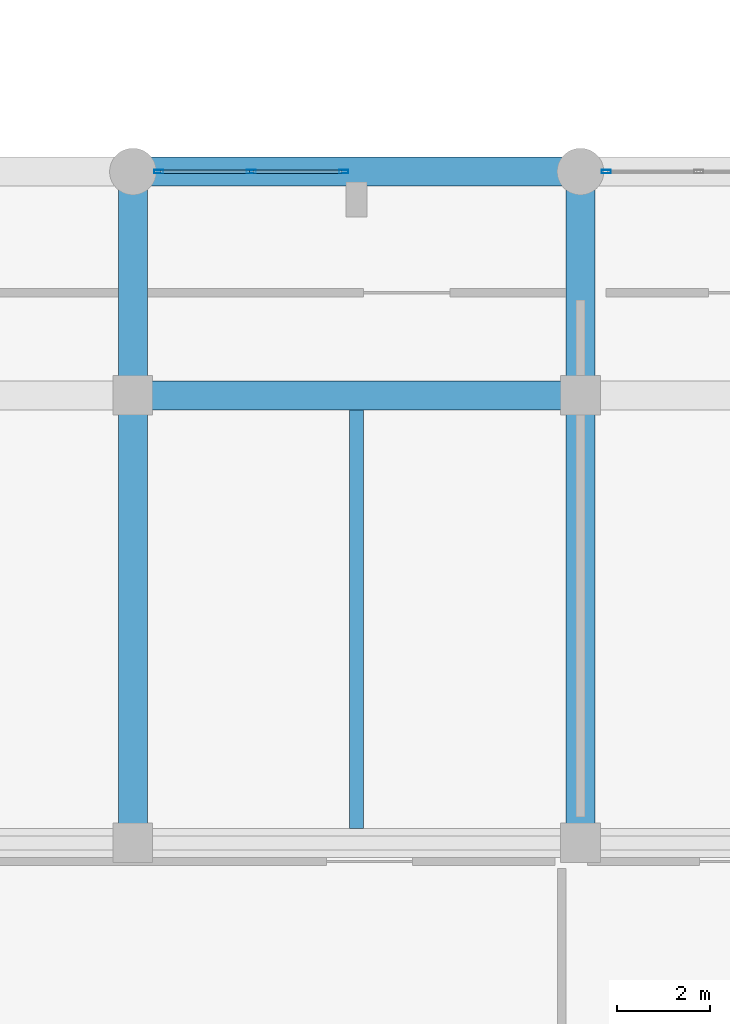
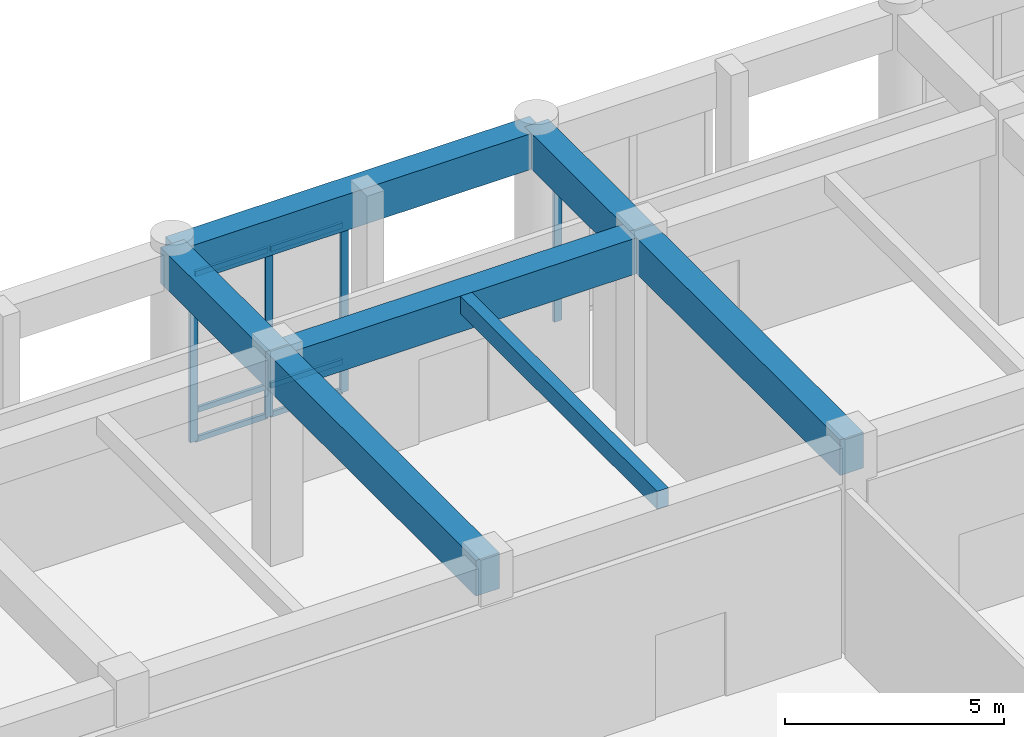
# One storey, part 21 of 87: 10 members, 7 beams, 2 elements without a shape of their own.
"""IFC4 building model written with IfcOpenShell, lengths in metres."""

from ifc_helpers import new_model, si_unit, direction, frame, origin, origin_2d, place, context, subcontext, project, spatial, rectangle, hollow_rectangle, extrude, material, layer, layer_set, material_profile, profile_set, type_object, element, aggregate, save


model = new_model("IFC4")

# Units and contexts
model_context = context("Model", 3, precision=1e-05, world=origin(), true_north=direction((0.0, 1.0)))
body_context = subcontext(model_context, "Body", "Model", "MODEL_VIEW")
ifc_project = project(units=[si_unit("LENGTHUNIT", "METRE"), si_unit("AREAUNIT", "SQUARE_METRE"), si_unit("VOLUMEUNIT", "CUBIC_METRE"), si_unit("PLANEANGLEUNIT", "RADIAN"), si_unit("MASSUNIT", "GRAM", prefix="KILO")], contexts=[model_context])

# Site, building, storey
site_placement = place(None, origin())
site = spatial("IfcSite", under=ifc_project, at=site_placement, CompositionType="ELEMENT")
building_placement = place(site_placement, origin())
building = spatial("IfcBuilding", under=site, at=building_placement, Name="Nakhvara Creek Congress Hotel", CompositionType="ELEMENT")
storey_placement = place(building_placement, origin())
storey = spatial("IfcBuildingStorey", under=building, at=storey_placement, Name="L00", CompositionType="ELEMENT", Elevation=0.0)

# Beams
ifc_material_1 = material(Name="Concrete C40/50", Category="concrete")
ifc_material_profile_1 = material_profile(ifc_material_1, rectangle(XDim=0.300048828125, YDim=0.5, at=origin_2d()), Name="RC-BM 300x500", Category="LoadBearing")
ifc_profile_set_1 = profile_set([ifc_material_profile_1], Name="Concrete C40/50")
beam_type_1 = type_object("IfcBeamType", Name="BM-JST-300X500", PredefinedType="JOIST", material=ifc_profile_set_1)
beam_1_placement = place(storey_placement, frame((100.800048828125, 29.110107421875, 5.449951171875), z_axis=(0.0, 1.0, 0.0), x_axis=(-1.0, 0.0, 0.0)))
element("IfcBeam", 1, at=beam_1_placement, inside=storey, type_object=beam_type_1, Name="Secondary Joist BJ1-L00-1042", PredefinedType="JOIST", context=body_context, shape_type="SweptSolid", body=[
    extrude(rectangle(XDim=0.300048828125, YDim=0.5, at=origin_2d()), origin(), (0.0, 0.0, 1.0), 8.97998046875),
])
ifc_material_2 = material(Name="Concrete C50/60", Category="concrete")
ifc_material_profile_2 = material_profile(ifc_material_2, rectangle(XDim=0.6201171875, YDim=1.0, at=origin_2d()), Name="RC-BM 620x1000", Category="LoadBearing")
ifc_profile_set_2 = profile_set([ifc_material_profile_2], Name="Concrete C50/60")
beam_type_2 = type_object("IfcBeamType", Name="BM-RC-620X1000", PredefinedType="BEAM", material=ifc_profile_set_2)
beam_2_placement = place(storey_placement, frame((96.0, 28.800048828125, 5.199951171875), z_axis=(0.0, 1.0, 0.0), x_axis=(-1.0, 0.0, 0.0)))
element("IfcBeam", 2, at=beam_2_placement, inside=storey, type_object=beam_type_2, Name="Beam B16-L00-0845", PredefinedType="BEAM", context=body_context, shape_type="SweptSolid", body=[
    extrude(rectangle(XDim=0.6201171875, YDim=1.0, at=origin_2d()), origin(), (0.0, 0.0, 1.0), 9.599853515625),
])
beam_3_placement = place(storey_placement, frame((96.0, 38.39990234375, 5.199951171875), z_axis=(0.0, 1.0, 0.0), x_axis=(-1.0, 0.0, 0.0)))
element("IfcBeam", 3, at=beam_3_placement, inside=storey, type_object=beam_type_2, Name="Beam B16-L00-0847", PredefinedType="BEAM", context=body_context, shape_type="SweptSolid", body=[
    extrude(rectangle(XDim=0.6201171875, YDim=1.0, at=origin_2d()), origin(), (0.0, 0.0, 1.0), 4.800048828125),
])
for number, where, z_axis, x_axis, name in (
    (4, (96.0, 38.39990234375, 5.199951171875), (1.0, 0.0, 0.0), (0.0, 1.0, 0.0), "Beam B16-L00-0848"),
    (5, (96.0, 43.199951171875, 5.199951171875), (1.0, 0.0, 0.0), (0.0, 1.0, 0.0), "Beam B16-L00-0849"),
):
    element("IfcBeam", number, at=place(storey_placement, frame(where, z_axis=z_axis, x_axis=x_axis)), inside=storey, type_object=beam_type_2, Name=name, PredefinedType="BEAM", context=body_context, shape_type="SweptSolid", body=[
        extrude(rectangle(XDim=0.6201171875, YDim=1.0, at=origin_2d()), origin(), (0.0, 0.0, 1.0), 9.60009765625),
    ])
beam_4_placement = place(storey_placement, frame((105.60009765625, 28.800048828125, 5.199951171875), z_axis=(0.0, 1.0, 0.0), x_axis=(-1.0, 0.0, 0.0)))
element("IfcBeam", 6, at=beam_4_placement, inside=storey, type_object=beam_type_2, Name="Beam B16-L00-0858", PredefinedType="BEAM", context=body_context, shape_type="SweptSolid", body=[
    extrude(rectangle(XDim=0.6201171875, YDim=1.0, at=origin_2d()), origin(), (0.0, 0.0, 1.0), 9.599853515625),
])
beam_5_placement = place(storey_placement, frame((105.60009765625, 38.39990234375, 5.199951171875), z_axis=(0.0, 1.0, 0.0), x_axis=(-1.0, 0.0, 0.0)))
element("IfcBeam", 7, at=beam_5_placement, inside=storey, type_object=beam_type_2, Name="Beam B16-L00-0860", PredefinedType="BEAM", context=body_context, shape_type="SweptSolid", body=[
    extrude(rectangle(XDim=0.6201171875, YDim=1.0, at=origin_2d()), origin(), (0.0, 0.0, 1.0), 4.800048828125),
])

# Curtain wall, members
ifc_material_3 = material(Name="Bronze-anodised aluminium AW-6063-T6 and double-silver low-E glass", Category="aluminium")
ifc_layer = layer(ifc_material_3, 0.199951171875)
ifc_layer_set = layer_set([ifc_layer], Name="Bronze-anodised aluminium AW-6063-T6 and double-silver low-E glass")
curtain_wall_type = type_object("IfcCurtainWallType", Name="CW-POD-STICK", PredefinedType="NOTDEFINED", material=ifc_layer_set)
curtain_wall_1_placement = place(storey_placement, origin())
curtain_wall_1 = element("IfcCurtainWall", 8, at=curtain_wall_1_placement, inside=storey, type_object=curtain_wall_type, Name="Curtain Wall CW005", PredefinedType="NOTDEFINED")
ifc_material_4 = material(Name="Bronze-anodised aluminium AW-6063-T6", Category="aluminium")
ifc_material_profile_3 = material_profile(ifc_material_4, hollow_rectangle(XDim=0.074951171875, YDim=0.199951171875, WallThickness=0.0048828125, at=origin_2d()), Name="ALU-MULL 75x200x5", Category="LoadBearing")
ifc_profile_set_3 = profile_set([ifc_material_profile_3], Name="Bronze-anodised aluminium AW-6063-T6")
member_type_1 = type_object("IfcMemberType", Name="CW-MULL-200", PredefinedType="MULLION", material=ifc_profile_set_3)
member_1_placement = place(storey_placement, frame((96.552490234375, 43.199951171875, 0.0), z_axis=(0.0, 0.0, 1.0), x_axis=(0.0, 1.0, 0.0)))
member_1 = element("IfcMember", 9, at=member_1_placement, type_object=member_type_1, Name="CW005 mullion 1", PredefinedType="MULLION", context=body_context, shape_type="SweptSolid", body=[
    extrude(hollow_rectangle(XDim=0.074951171875, YDim=0.199951171875, WallThickness=0.0048828125, at=origin_2d()), origin(), (0.0, 0.0, 1.0), 4.69189453125),
])
member_2_placement = place(storey_placement, frame((98.53759765625, 43.199951171875, 0.0), z_axis=(0.0, 0.0, 1.0), x_axis=(0.0, 1.0, 0.0)))
member_2 = element("IfcMember", 10, at=member_2_placement, type_object=member_type_1, Name="CW005 mullion 2", PredefinedType="MULLION", context=body_context, shape_type="SweptSolid", body=[
    extrude(hollow_rectangle(XDim=0.074951171875, YDim=0.199951171875, WallThickness=0.0048828125, at=origin_2d()), origin(), (0.0, 0.0, 1.0), 4.69189453125),
])
member_3_placement = place(storey_placement, frame((100.5224609375, 43.199951171875, 0.0), z_axis=(0.0, 0.0, 1.0), x_axis=(0.0, 1.0, 0.0)))
member_3 = element("IfcMember", 11, at=member_3_placement, type_object=member_type_1, Name="CW005 mullion 3", PredefinedType="MULLION", context=body_context, shape_type="SweptSolid", body=[
    extrude(hollow_rectangle(XDim=0.074951171875, YDim=0.199951171875, WallThickness=0.0048828125, at=origin_2d()), origin(), (0.0, 0.0, 1.0), 4.69189453125),
])

# Curtain wall, member
curtain_wall_2_placement = place(storey_placement, origin())
curtain_wall_2 = element("IfcCurtainWall", 12, at=curtain_wall_2_placement, inside=storey, type_object=curtain_wall_type, Name="Curtain Wall CW007", PredefinedType="NOTDEFINED")
member_4_placement = place(storey_placement, frame((106.152587890625, 43.199951171875, 0.0), z_axis=(0.0, 0.0, 1.0), x_axis=(0.0, 1.0, 0.0)))
member_4 = element("IfcMember", 13, at=member_4_placement, type_object=member_type_1, Name="CW007 mullion 1", PredefinedType="MULLION", context=body_context, shape_type="SweptSolid", body=[
    extrude(hollow_rectangle(XDim=0.074951171875, YDim=0.199951171875, WallThickness=0.0048828125, at=origin_2d()), origin(), (0.0, 0.0, 1.0), 4.69189453125),
])
aggregate(curtain_wall_2, [member_4])

# Member
ifc_material_profile_4 = material_profile(ifc_material_4, hollow_rectangle(XDim=0.074951171875, YDim=0.14990234375, WallThickness=0.00390625, at=origin_2d()), Name="ALU-TRAN 75x150x4", Category="LoadBearing")
ifc_profile_set_4 = profile_set([ifc_material_profile_4], Name="Bronze-anodised aluminium AW-6063-T6")
member_type_2 = type_object("IfcMemberType", Name="CW-TRAN-150", PredefinedType="USERDEFINED", material=ifc_profile_set_4)
member_5_placement = place(storey_placement, frame((96.590087890625, 43.199951171875, 0.03759765625), z_axis=(1.0, 0.0, 0.0), x_axis=(0.0, 1.0, 0.0)))
member_5 = element("IfcMember", 14, at=member_5_placement, type_object=member_type_2, Name="CW005 transom 1.1", ObjectType="TRANSOM", PredefinedType="USERDEFINED", context=body_context, shape_type="SweptSolid", body=[
    extrude(hollow_rectangle(XDim=0.074951171875, YDim=0.14990234375, WallThickness=0.00390625, at=origin_2d()), origin(), (0.0, 0.0, 1.0), 1.909912109375),
])

member_6_placement = place(storey_placement, frame((96.590087890625, 43.199951171875, 0.85009765625), z_axis=(1.0, 0.0, 0.0), x_axis=(0.0, 1.0, 0.0)))
member_6 = element("IfcMember", 15, at=member_6_placement, type_object=member_type_2, Name="CW005 transom 1.2", ObjectType="TRANSOM", PredefinedType="USERDEFINED", context=body_context, shape_type="SweptSolid", body=[
    extrude(hollow_rectangle(XDim=0.074951171875, YDim=0.14990234375, WallThickness=0.00390625, at=origin_2d()), origin(), (0.0, 0.0, 1.0), 1.909912109375),
])

member_7_placement = place(storey_placement, frame((96.590087890625, 43.199951171875, 4.654541015625), z_axis=(1.0, 0.0, 0.0), x_axis=(0.0, 1.0, 0.0)))
member_7 = element("IfcMember", 16, at=member_7_placement, type_object=member_type_2, Name="CW005 transom 1.3", ObjectType="TRANSOM", PredefinedType="USERDEFINED", context=body_context, shape_type="SweptSolid", body=[
    extrude(hollow_rectangle(XDim=0.074951171875, YDim=0.14990234375, WallThickness=0.00390625, at=origin_2d()), origin(), (0.0, 0.0, 1.0), 1.909912109375),
])

member_8_placement = place(storey_placement, frame((98.574951171875, 43.199951171875, 0.03759765625), z_axis=(1.0, 0.0, 0.0), x_axis=(0.0, 1.0, 0.0)))
member_8 = element("IfcMember", 17, at=member_8_placement, type_object=member_type_2, Name="CW005 transom 2.1", ObjectType="TRANSOM", PredefinedType="USERDEFINED", context=body_context, shape_type="SweptSolid", body=[
    extrude(hollow_rectangle(XDim=0.074951171875, YDim=0.14990234375, WallThickness=0.00390625, at=origin_2d()), origin(), (0.0, 0.0, 1.0), 1.91015625),
])

member_9_placement = place(storey_placement, frame((98.574951171875, 43.199951171875, 0.85009765625), z_axis=(1.0, 0.0, 0.0), x_axis=(0.0, 1.0, 0.0)))
member_9 = element("IfcMember", 18, at=member_9_placement, type_object=member_type_2, Name="CW005 transom 2.2", ObjectType="TRANSOM", PredefinedType="USERDEFINED", context=body_context, shape_type="SweptSolid", body=[
    extrude(hollow_rectangle(XDim=0.074951171875, YDim=0.14990234375, WallThickness=0.00390625, at=origin_2d()), origin(), (0.0, 0.0, 1.0), 1.91015625),
])

member_10_placement = place(storey_placement, frame((98.574951171875, 43.199951171875, 4.654541015625), z_axis=(1.0, 0.0, 0.0), x_axis=(0.0, 1.0, 0.0)))
member_10 = element("IfcMember", 19, at=member_10_placement, type_object=member_type_2, Name="CW005 transom 2.3", ObjectType="TRANSOM", PredefinedType="USERDEFINED", context=body_context, shape_type="SweptSolid", body=[
    extrude(hollow_rectangle(XDim=0.074951171875, YDim=0.14990234375, WallThickness=0.00390625, at=origin_2d()), origin(), (0.0, 0.0, 1.0), 1.91015625),
])

aggregate(curtain_wall_1, [member_1, member_2, member_3, member_5, member_6, member_7, member_8, member_9, member_10])

save(model, "model.ifc")
